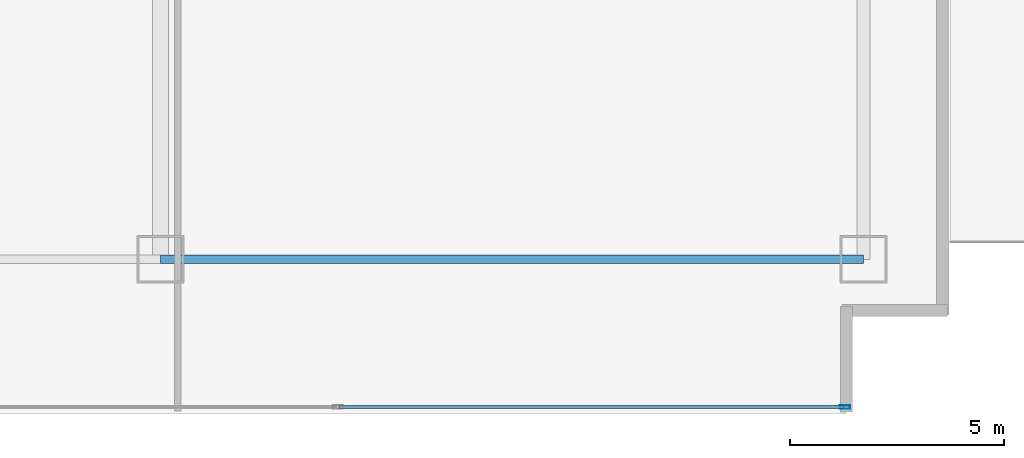
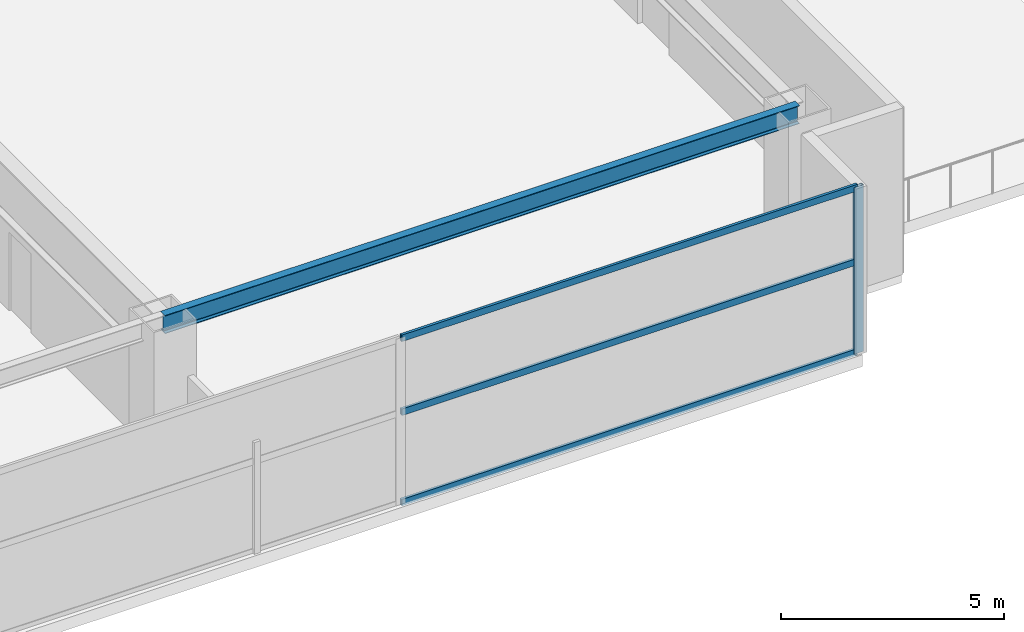
# One storey, part 21 of 30: 4 members, 1 beam, 1 element without a shape of its own.
"""IFC4 building model written with IfcOpenShell, lengths in metres."""

from ifc_helpers import new_model, si_unit, direction, frame, origin, origin_2d, place, context, subcontext, project, spatial, hollow_rectangle, i_section, extrude, material, layer, layer_set, material_profile, profile_set, type_object, element, aggregate, save


model = new_model("IFC4")

# Units and contexts
model_context = context("Model", 3, precision=1e-05, world=origin(), true_north=direction((0.0, 1.0)))
body_context = subcontext(model_context, "Body", "Model", "MODEL_VIEW")
ifc_project = project(units=[si_unit("LENGTHUNIT", "METRE"), si_unit("AREAUNIT", "SQUARE_METRE"), si_unit("VOLUMEUNIT", "CUBIC_METRE"), si_unit("PLANEANGLEUNIT", "RADIAN"), si_unit("MASSUNIT", "GRAM", prefix="KILO")], contexts=[model_context])

# Site, building, storey
site_placement = place(None, origin())
site = spatial("IfcSite", under=ifc_project, at=site_placement, CompositionType="ELEMENT")
building_placement = place(site_placement, origin())
building = spatial("IfcBuilding", under=site, at=building_placement, Name="Calvorn Quay Hotel", CompositionType="ELEMENT")
storey_placement = place(building_placement, frame((0.0, 0.0, 17.0)))
storey = spatial("IfcBuildingStorey", under=building, at=storey_placement, Name="L03", CompositionType="ELEMENT", Elevation=17.0)

# Beam
ifc_material_1 = material(Name="Steel Q355B", Category="steel")
ifc_material_profile_1 = material_profile(ifc_material_1, i_section(OverallWidth=0.199951171875, OverallDepth=0.5, WebThickness=0.010009765625, FlangeThickness=0.01611328125, FilletRadius=0.01611328125, at=origin_2d()), Name="HN500x200x10x16")
ifc_profile_set_1 = profile_set([ifc_material_profile_1], Name="Steel Q355B")
beam_type = type_object("IfcBeamType", Name="BM-SPANDREL-Z1", PredefinedType="SPANDREL", material=ifc_profile_set_1)
beam_placement = place(storey_placement, frame((57.60009765625, 3.60009765625, 4.300048828125), z_axis=(1.0, 0.0, 0.0), x_axis=(0.0, 1.0, 0.0)))
element("IfcBeam", 1, at=beam_placement, inside=storey, type_object=beam_type, Name="Beam BSP-L03-S6", PredefinedType="SPANDREL", context=body_context, shape_type="SweptSolid", body=[
    extrude(i_section(OverallWidth=0.199951171875, OverallDepth=0.5, WebThickness=0.010009765625, FlangeThickness=0.01611328125, FilletRadius=0.01611328125, at=origin_2d()), origin(), (0.0, 0.0, 1.0), 16.39990234375),
])

# Curtain wall, members
ifc_material_2 = material(Name="Pale Anodised Aluminium and Low-E Glass", Category="aluminium")
ifc_layer = layer(ifc_material_2, 0.219970703125)
ifc_layer_set = layer_set([ifc_layer], Name="CW-SYS-POD")
curtain_wall_type = type_object("IfcCurtainWallType", Name="CW-SYS-POD", PredefinedType="NOTDEFINED", material=ifc_layer_set)
curtain_wall_placement = place(storey_placement, origin())
curtain_wall = element("IfcCurtainWall", 2, at=curtain_wall_placement, inside=storey, type_object=curtain_wall_type, Name="Podium Curtain Wall L03-S1", PredefinedType="NOTDEFINED")
ifc_material_3 = material(Name="Pale Anodised Aluminium 6063-T6", Category="aluminium")
ifc_material_profile_2 = material_profile(ifc_material_3, hollow_rectangle(XDim=0.080078125, YDim=0.239990234375, WallThickness=0.0048828125, at=origin_2d()), Name="ALU-M240x80x5")
ifc_profile_set_2 = profile_set([ifc_material_profile_2], Name="Pale Anodised Aluminium 6063-T6")
member_type_1 = type_object("IfcMemberType", Name="CW-SYS-POD-MUL", PredefinedType="MULLION", material=ifc_profile_set_2)
member_1_placement = place(storey_placement, frame((73.570068359375, 0.14990234375, 0.0), z_axis=(0.0, 0.0, 1.0), x_axis=(0.0, 1.0, 0.0)))
member_1 = element("IfcMember", 3, at=member_1_placement, type_object=member_type_1, Name="CW-L03-S1 mullion 7", PredefinedType="MULLION", context=body_context, shape_type="SweptSolid", body=[
    extrude(hollow_rectangle(XDim=0.080078125, YDim=0.239990234375, WallThickness=0.0048828125, at=origin_2d()), origin(), (0.0, 0.0, 1.0), 4.550048828125),
])
ifc_material_4 = material(Name="Pale Anodised Aluminium 6063-T6", Category="aluminium")
ifc_material_profile_3 = material_profile(ifc_material_4, hollow_rectangle(XDim=0.070068359375, YDim=0.179931640625, WallThickness=0.00390625, at=origin_2d()), Name="ALU-T180x70x4")
ifc_profile_set_3 = profile_set([ifc_material_profile_3], Name="Pale Anodised Aluminium 6063-T6")
member_type_2 = type_object("IfcMemberType", Name="CW-SYS-POD-TRN", PredefinedType="USERDEFINED", material=ifc_profile_set_3)
member_2_placement = place(storey_placement, frame((61.763427734375, 0.14990234375, 0.030029296875), z_axis=(1.0, 0.0, 0.0), x_axis=(0.0, 1.0, 0.0)))
member_2 = element("IfcMember", 4, at=member_2_placement, type_object=member_type_2, Name="CW-L03-S1 transom 6.1", ObjectType="TRANSOM", PredefinedType="USERDEFINED", context=body_context, shape_type="SweptSolid", body=[
    extrude(hollow_rectangle(XDim=0.070068359375, YDim=0.179931640625, WallThickness=0.00390625, at=origin_2d()), origin(), (0.0, 0.0, 1.0), 11.776611328125),
])
member_3_placement = place(storey_placement, frame((61.763427734375, 0.14990234375, 2.5), z_axis=(1.0, 0.0, 0.0), x_axis=(0.0, 1.0, 0.0)))
member_3 = element("IfcMember", 5, at=member_3_placement, type_object=member_type_2, Name="CW-L03-S1 transom 6.2", ObjectType="TRANSOM", PredefinedType="USERDEFINED", context=body_context, shape_type="SweptSolid", body=[
    extrude(hollow_rectangle(XDim=0.070068359375, YDim=0.179931640625, WallThickness=0.00390625, at=origin_2d()), origin(), (0.0, 0.0, 1.0), 11.776611328125),
])
member_4_placement = place(storey_placement, frame((61.763427734375, 0.14990234375, 4.52001953125), z_axis=(1.0, 0.0, 0.0), x_axis=(0.0, 1.0, 0.0)))
member_4 = element("IfcMember", 6, at=member_4_placement, type_object=member_type_2, Name="CW-L03-S1 transom 6.3", ObjectType="TRANSOM", PredefinedType="USERDEFINED", context=body_context, shape_type="SweptSolid", body=[
    extrude(hollow_rectangle(XDim=0.070068359375, YDim=0.179931640625, WallThickness=0.00390625, at=origin_2d()), origin(), (0.0, 0.0, 1.0), 11.776611328125),
])
aggregate(curtain_wall, [member_1, member_2, member_3, member_4])

save(model, "model.ifc")
